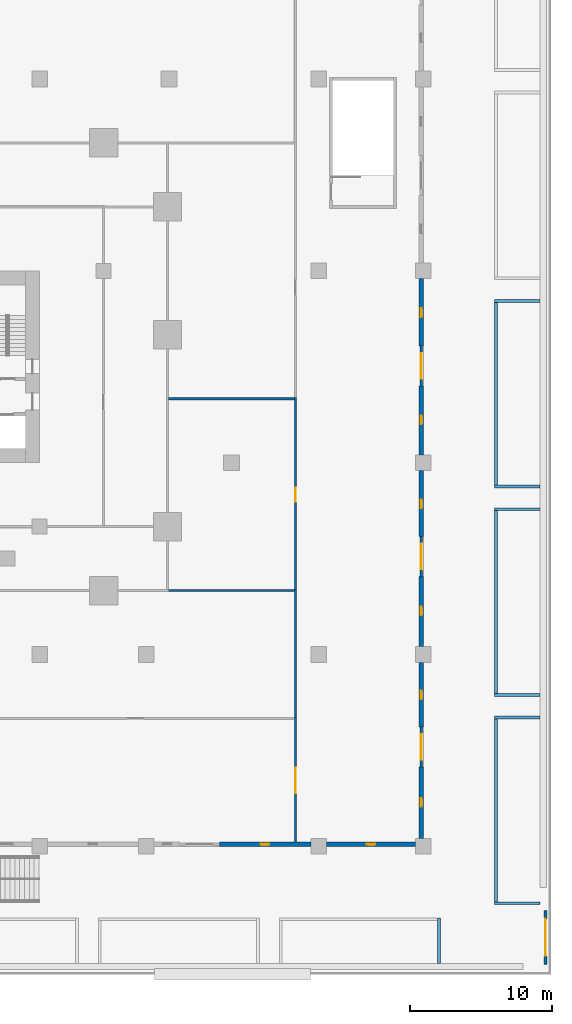
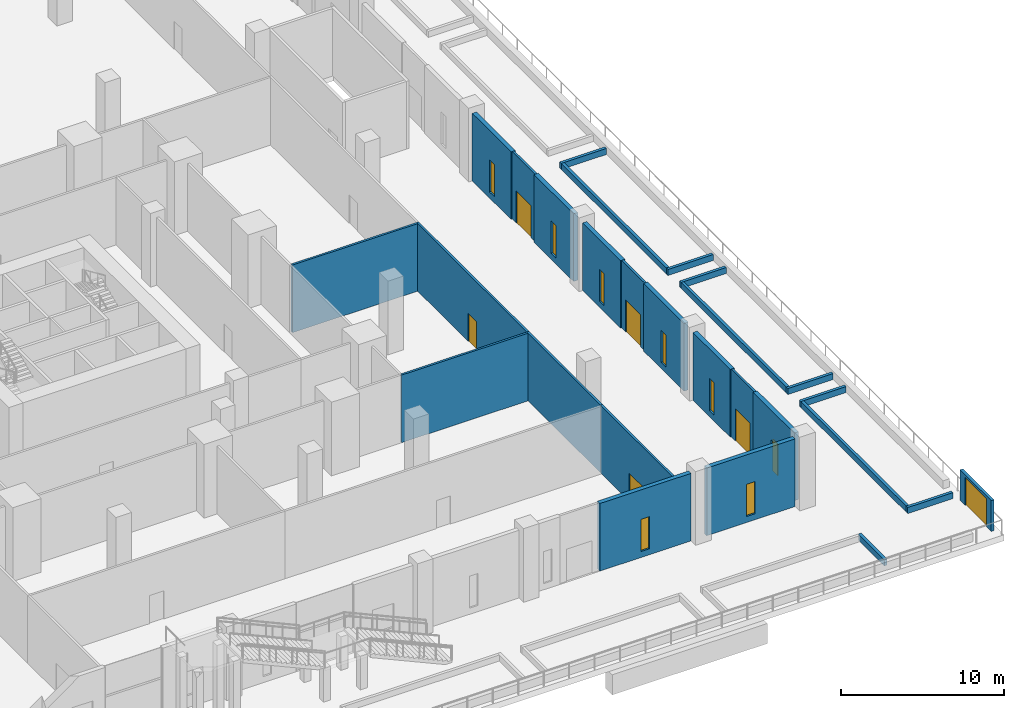
# One storey, part 37 of 47: 27 walls, 8 windows, 6 doors, 14 openings.
"""IFC4 building model written with IfcOpenShell, lengths in metres."""

from ifc_helpers import new_model, si_unit, direction, frame, frame_2d, origin, place, context, subcontext, project, spatial, rectangle, extrude, material, layer, layer_set, type_object, element, fill, save


model = new_model("IFC4")

# Units and contexts
model_context = context("Model", 3, precision=1e-05, world=origin(), true_north=direction((0.0, 1.0)))
body_context = subcontext(model_context, "Body", "Model", "MODEL_VIEW")
ifc_project = project(units=[si_unit("LENGTHUNIT", "METRE"), si_unit("AREAUNIT", "SQUARE_METRE"), si_unit("VOLUMEUNIT", "CUBIC_METRE"), si_unit("PLANEANGLEUNIT", "RADIAN"), si_unit("MASSUNIT", "GRAM", prefix="KILO")], contexts=[model_context])

# Site, building, storey
site_placement = place(None, origin())
site = spatial("IfcSite", under=ifc_project, at=site_placement, CompositionType="ELEMENT")
building_placement = place(site_placement, origin())
building = spatial("IfcBuilding", under=site, at=building_placement, Name="Altepetl Exchange Towers", CompositionType="ELEMENT")
storey_placement = place(building_placement, frame((0.0, 0.0, 6.0)))
storey = spatial("IfcBuildingStorey", under=building, at=storey_placement, Name="L01 Retail podium", CompositionType="ELEMENT", Elevation=6.0)

# Wall, opening, door
ifc_material_1 = material(Name="Reinforced concrete C35/45", Category="concrete")
ifc_layer_1 = layer(ifc_material_1, 0.199951171875)
ifc_layer_set_1 = layer_set([ifc_layer_1], Name="Reinforced concrete C35/45")
wall_type_1 = type_object("IfcWallType", Name="Garden gate screen wall 200", PredefinedType="SOLIDWALL", material=ifc_layer_set_1)
wall_1_placement = place(storey_placement, frame((152.60009765625, 0.699951171875, 0.0), z_axis=(0.0, 0.0, 1.0), x_axis=(0.0, 1.0, 0.0)))
wall_1 = element("IfcWall", 1, at=wall_1_placement, inside=storey, type_object=wall_type_1, Name="wall:P:L01:gateG10", PredefinedType="SOLIDWALL", context=body_context, shape_type="SweptSolid", body=[
    extrude(rectangle(XDim=3.800048828125, YDim=0.199951171875, at=frame_2d((1.89990234375, 0.0))), origin(), (0.0, 0.0, 1.0), 2.300048828125),
])
opening_1_placement = place(wall_1_placement, frame((0.60009765625, 0.0, 0.0)))
opening_1 = element("IfcOpeningElement", 2, at=opening_1_placement, cuts=wall_1, Name="Opening L01.P065", PredefinedType="OPENING", context=body_context, shape_type="SweptSolid", body=[
    extrude(rectangle(XDim=2.60009765625, YDim=2.10009765625, at=frame_2d((1.300048828125, 1.050048828125))), frame((0.0, 0.10986328125, 0.0), z_axis=(0.0, -1.0, 0.0), x_axis=(1.0, 0.0, 0.0)), (0.0, 0.0, 1.0), 0.219970703125),
])
ifc_material_2 = material(Name="Painted steel bars and timber", Category="steel")
door_type_1 = type_object("IfcDoorType", Name="Garden gate 2600 x 2100 double leaf", OperationType="DOUBLE_DOOR_SINGLE_SWING", PredefinedType="GATE", material=ifc_material_2)
door_1_placement = place(opening_1_placement, frame((2.60009765625, 0.0, 0.0), x_axis=(-1.0, 0.0, 0.0)))
door_1 = element("IfcDoor", 3, at=door_1_placement, inside=storey, type_object=door_type_1, Name="door:P:L01:065", OperationType="DOUBLE_DOOR_SINGLE_SWING", OverallHeight=2.10009765625, OverallWidth=2.60009765625, PredefinedType="GATE", context=body_context, shape_type="SweptSolid", body=[
    extrude(rectangle(XDim=2.60009765625, YDim=2.10009765625, at=frame_2d((1.300048828125, 1.050048828125))), frame((0.0, 0.02490234375, 0.0), z_axis=(0.0, -1.0, 0.0), x_axis=(1.0, 0.0, 0.0)), (0.0, 0.0, 1.0), 0.050048828125),
])
fill(opening_1, door_1)

ifc_material_3 = material(Name="Aluminium composite cladding", Category="aluminium")
ifc_layer_2 = layer(ifc_material_3, 0.14990234375)
ifc_layer_set_2 = layer_set([ifc_layer_2], Name="Aluminium composite cladding")
wall_type_2 = type_object("IfcWallType", Name="Infill wall 150 aluminium panel", PredefinedType="SOLIDWALL", material=ifc_layer_set_2)
wall_2_placement = place(storey_placement, frame((143.85009765625, 14.60009765625, 0.0), z_axis=(0.0, 0.0, 1.0), x_axis=(0.0, 1.0, 0.0)))
wall_2 = element("IfcWall", 4, at=wall_2_placement, inside=storey, type_object=wall_type_2, Name="Door bay wall", PredefinedType="SOLIDWALL", context=body_context, shape_type="SweptSolid", body=[
    extrude(rectangle(XDim=2.7998046875, YDim=0.14990234375, at=frame_2d((1.39990234375, 0.0))), origin(), (0.0, 0.0, 1.0), 5.050048828125),
])
opening_2_placement = place(wall_2_placement, frame((0.5, 0.0, 0.0)))
opening_2 = element("IfcOpeningElement", 5, at=opening_2_placement, cuts=wall_2, Name="Opening L01.E22", PredefinedType="OPENING", context=body_context, shape_type="SweptSolid", body=[
    extrude(rectangle(XDim=1.800048828125, YDim=2.39990234375, at=frame_2d((0.89990234375, 1.199951171875))), frame((0.0, 0.0849609375, 0.0), z_axis=(0.0, -1.0, 0.0), x_axis=(1.0, 0.0, 0.0)), (0.0, 0.0, 1.0), 0.169921875),
])
ifc_material_4 = material(Name="Aluminium 6063-T6 and glass", Category="aluminium")
door_type_2 = type_object("IfcDoorType", Name="Glazed door pair 1800x2400", OperationType="DOUBLE_DOOR_DOUBLE_SWING", PredefinedType="NOTDEFINED", material=ifc_material_4)
door_2_placement = place(opening_2_placement, frame((1.800048828125, 0.0, 0.0), x_axis=(-1.0, 0.0, 0.0)))
door_2 = element("IfcDoor", 6, at=door_2_placement, inside=storey, type_object=door_type_2, Name="Terrace door", OperationType="DOUBLE_DOOR_DOUBLE_SWING", OverallHeight=2.39990234375, OverallWidth=1.800048828125, PredefinedType="NOTDEFINED", context=body_context, shape_type="SweptSolid", body=[
    extrude(rectangle(XDim=1.800048828125, YDim=2.39990234375, at=frame_2d((0.89990234375, 1.199951171875))), frame((0.0, 0.02490234375, 0.0), z_axis=(0.0, -1.0, 0.0), x_axis=(1.0, 0.0, 0.0)), (0.0, 0.0, 1.0), 0.050048828125),
])
fill(opening_2, door_2)

wall_3_placement = place(storey_placement, frame((143.85009765625, 28.0, 0.0), z_axis=(0.0, 0.0, 1.0), x_axis=(0.0, 1.0, 0.0)))
wall_3 = element("IfcWall", 7, at=wall_3_placement, inside=storey, type_object=wall_type_2, Name="Door bay wall", PredefinedType="SOLIDWALL", context=body_context, shape_type="SweptSolid", body=[
    extrude(rectangle(XDim=2.800048828125, YDim=0.14990234375, at=frame_2d((1.39990234375, 0.0))), origin(), (0.0, 0.0, 1.0), 5.050048828125),
])
opening_3_placement = place(wall_3_placement, frame((0.5, 0.0, 0.0)))
opening_3 = element("IfcOpeningElement", 8, at=opening_3_placement, cuts=wall_3, Name="Opening L01.E23", PredefinedType="OPENING", context=body_context, shape_type="SweptSolid", body=[
    extrude(rectangle(XDim=1.800048828125, YDim=2.39990234375, at=frame_2d((0.89990234375, 1.199951171875))), frame((0.0, 0.0849609375, 0.0), z_axis=(0.0, -1.0, 0.0), x_axis=(1.0, 0.0, 0.0)), (0.0, 0.0, 1.0), 0.169921875),
])
door_3_placement = place(opening_3_placement, frame((1.800048828125, 0.0, 0.0), x_axis=(-1.0, 0.0, 0.0)))
door_3 = element("IfcDoor", 9, at=door_3_placement, inside=storey, type_object=door_type_2, Name="Terrace door", OperationType="DOUBLE_DOOR_DOUBLE_SWING", OverallHeight=2.39990234375, OverallWidth=1.800048828125, PredefinedType="NOTDEFINED", context=body_context, shape_type="SweptSolid", body=[
    extrude(rectangle(XDim=1.800048828125, YDim=2.39990234375, at=frame_2d((0.89990234375, 1.199951171875))), frame((0.0, 0.02490234375, 0.0), z_axis=(0.0, -1.0, 0.0), x_axis=(1.0, 0.0, 0.0)), (0.0, 0.0, 1.0), 0.050048828125),
])
fill(opening_3, door_3)

wall_4_placement = place(storey_placement, frame((143.85009765625, 41.39990234375, 0.0), z_axis=(0.0, 0.0, 1.0), x_axis=(0.0, 1.0, 0.0)))
wall_4 = element("IfcWall", 10, at=wall_4_placement, inside=storey, type_object=wall_type_2, Name="Door bay wall", PredefinedType="SOLIDWALL", context=body_context, shape_type="SweptSolid", body=[
    extrude(rectangle(XDim=2.800048828125, YDim=0.14990234375, at=frame_2d((1.39990234375, 0.0))), origin(), (0.0, 0.0, 1.0), 5.050048828125),
])
opening_4_placement = place(wall_4_placement, frame((0.5, 0.0, 0.0)))
opening_4 = element("IfcOpeningElement", 11, at=opening_4_placement, cuts=wall_4, Name="Opening L01.E24", PredefinedType="OPENING", context=body_context, shape_type="SweptSolid", body=[
    extrude(rectangle(XDim=1.800048828125, YDim=2.39990234375, at=frame_2d((0.89990234375, 1.199951171875))), frame((0.0, 0.0849609375, 0.0), z_axis=(0.0, -1.0, 0.0), x_axis=(1.0, 0.0, 0.0)), (0.0, 0.0, 1.0), 0.169921875),
])
door_4_placement = place(opening_4_placement, frame((1.800048828125, 0.0, 0.0), x_axis=(-1.0, 0.0, 0.0)))
door_4 = element("IfcDoor", 12, at=door_4_placement, inside=storey, type_object=door_type_2, Name="Terrace door", OperationType="DOUBLE_DOOR_DOUBLE_SWING", OverallHeight=2.39990234375, OverallWidth=1.800048828125, PredefinedType="NOTDEFINED", context=body_context, shape_type="SweptSolid", body=[
    extrude(rectangle(XDim=1.800048828125, YDim=2.39990234375, at=frame_2d((0.89990234375, 1.199951171875))), frame((0.0, 0.02490234375, 0.0), z_axis=(0.0, -1.0, 0.0), x_axis=(1.0, 0.0, 0.0)), (0.0, 0.0, 1.0), 0.050048828125),
])
fill(opening_4, door_4)

# Walls
ifc_layer_3 = layer(ifc_material_1, 0.199951171875)
ifc_layer_set_3 = layer_set([ifc_layer_3], Name="Reinforced concrete C35/45")
wall_type_3 = type_object("IfcWallType", Name="Planting bed curb 200", PredefinedType="SOLIDWALL", material=ifc_layer_set_3)
wall_5_placement = place(storey_placement, frame((145.10009765625, 0.77490234375, 0.0), z_axis=(0.0, 0.0, 1.0), x_axis=(0.0, 1.0, 0.0)))
element("IfcWall", 13, at=wall_5_placement, inside=storey, type_object=wall_type_3, Name="wall:P:L01:CB03e", PredefinedType="SOLIDWALL", context=body_context, shape_type="SweptSolid", body=[
    extrude(rectangle(XDim=3.2001953125, YDim=0.199951171875, at=frame_2d((1.60009765625, 0.0))), origin(), (0.0, 0.0, 1.0), 0.449951171875),
])
for number, where, name in (
    (14, (149.02490234375, 18.06005859375, 0.0), "wall:P:L01:CB28n"),
    (15, (149.02490234375, 5.0, 0.0), "wall:P:L01:CB28s"),
):
    element("IfcWall", number, at=place(storey_placement, frame(where)), inside=storey, type_object=wall_type_3, Name=name, PredefinedType="SOLIDWALL", context=body_context, shape_type="SweptSolid", body=[
        extrude(rectangle(XDim=3.2001953125, YDim=0.199951171875, at=frame_2d((1.60009765625, 0.0))), origin(), (0.0, 0.0, 1.0), 0.449951171875),
    ])
wall_6_placement = place(storey_placement, frame((149.125, 5.10009765625, 0.0), z_axis=(0.0, 0.0, 1.0), x_axis=(0.0, 1.0, 0.0)))
element("IfcWall", 16, at=wall_6_placement, inside=storey, type_object=wall_type_3, Name="wall:P:L01:CB28w", PredefinedType="SOLIDWALL", context=body_context, shape_type="SweptSolid", body=[
    extrude(rectangle(XDim=12.85986328125, YDim=0.199951171875, at=frame_2d((6.429931640625, 0.0))), origin(), (0.0, 0.0, 1.0), 0.449951171875),
])
for number, where, name in (
    (17, (149.02490234375, 32.719970703125, 0.0), "wall:P:L01:CB29n"),
    (18, (149.02490234375, 19.659912109375, 0.0), "wall:P:L01:CB29s"),
):
    element("IfcWall", number, at=place(storey_placement, frame(where)), inside=storey, type_object=wall_type_3, Name=name, PredefinedType="SOLIDWALL", context=body_context, shape_type="SweptSolid", body=[
        extrude(rectangle(XDim=3.2001953125, YDim=0.199951171875, at=frame_2d((1.60009765625, 0.0))), origin(), (0.0, 0.0, 1.0), 0.449951171875),
    ])
wall_7_placement = place(storey_placement, frame((149.125, 19.760009765625, 0.0), z_axis=(0.0, 0.0, 1.0), x_axis=(0.0, 1.0, 0.0)))
element("IfcWall", 19, at=wall_7_placement, inside=storey, type_object=wall_type_3, Name="wall:P:L01:CB29w", PredefinedType="SOLIDWALL", context=body_context, shape_type="SweptSolid", body=[
    extrude(rectangle(XDim=12.860107421875, YDim=0.199951171875, at=frame_2d((6.43017578125, 0.0))), origin(), (0.0, 0.0, 1.0), 0.449951171875),
])
for number, where, name in (
    (20, (149.02490234375, 47.3798828125, 0.0), "wall:P:L01:CB30n"),
    (21, (149.02490234375, 34.320068359375, 0.0), "wall:P:L01:CB30s"),
):
    element("IfcWall", number, at=place(storey_placement, frame(where)), inside=storey, type_object=wall_type_3, Name=name, PredefinedType="SOLIDWALL", context=body_context, shape_type="SweptSolid", body=[
        extrude(rectangle(XDim=3.2001953125, YDim=0.199951171875, at=frame_2d((1.60009765625, 0.0))), origin(), (0.0, 0.0, 1.0), 0.449951171875),
    ])
wall_8_placement = place(storey_placement, frame((149.125, 34.419921875, 0.0), z_axis=(0.0, 0.0, 1.0), x_axis=(0.0, 1.0, 0.0)))
element("IfcWall", 22, at=wall_8_placement, inside=storey, type_object=wall_type_3, Name="wall:P:L01:CB30w", PredefinedType="SOLIDWALL", context=body_context, shape_type="SweptSolid", body=[
    extrude(rectangle(XDim=12.860107421875, YDim=0.199951171875, at=frame_2d((6.43017578125, 0.0))), origin(), (0.0, 0.0, 1.0), 0.449951171875),
])

# Wall, opening, door
ifc_material_5 = material(Name="Gypsum board on steel studs", Category="steel")
ifc_layer_4 = layer(ifc_material_5, 0.14990234375)
ifc_layer_set_4 = layer_set([ifc_layer_4], Name="Gypsum board on steel studs")
wall_type_4 = type_object("IfcWallType", Name="Podium partition 150", PredefinedType="PARTITIONING", material=ifc_layer_set_4)
wall_9_placement = place(storey_placement, frame((135.0, 9.300048828125, 0.0), z_axis=(0.0, 0.0, 1.0), x_axis=(0.0, 1.0, 0.0)))
wall_9 = element("IfcWall", 23, at=wall_9_placement, inside=storey, type_object=wall_type_4, Name="wall:P:L01:P053", PredefinedType="PARTITIONING", context=body_context, shape_type="SweptSolid", body=[
    extrude(rectangle(XDim=8.77490234375, YDim=0.14990234375, at=frame_2d((4.387451171875, 0.0))), origin(), (0.0, 0.0, 1.0), 5.050048828125),
])
opening_5_placement = place(wall_9_placement, frame((3.449951171875, 0.0, 0.0)))
opening_5 = element("IfcOpeningElement", 24, at=opening_5_placement, cuts=wall_9, Name="Opening L01.P048", PredefinedType="OPENING", context=body_context, shape_type="SweptSolid", body=[
    extrude(rectangle(XDim=1.800048828125, YDim=2.10009765625, at=frame_2d((0.89990234375, 1.050048828125))), frame((0.0, 0.0849609375, 0.0), z_axis=(0.0, -1.0, 0.0), x_axis=(1.0, 0.0, 0.0)), (0.0, 0.0, 1.0), 0.169921875),
])
ifc_material_6 = material(Name="Glazed aluminium and steel", Category="steel")
door_type_3 = type_object("IfcDoorType", Name="Podium fire door 1800 x 2100 double leaf", OperationType="DOUBLE_DOOR_SINGLE_SWING", PredefinedType="DOOR", material=ifc_material_6)
door_5_placement = place(opening_5_placement, origin())
door_5 = element("IfcDoor", 25, at=door_5_placement, inside=storey, type_object=door_type_3, Name="door:P:L01:048", OperationType="DOUBLE_DOOR_SINGLE_SWING", OverallHeight=2.10009765625, OverallWidth=1.800048828125, PredefinedType="DOOR", context=body_context, shape_type="SweptSolid", body=[
    extrude(rectangle(XDim=1.800048828125, YDim=2.10009765625, at=frame_2d((0.89990234375, 1.050048828125))), frame((0.0, 0.02490234375, 0.0), z_axis=(0.0, -1.0, 0.0), x_axis=(1.0, 0.0, 0.0)), (0.0, 0.0, 1.0), 0.050048828125),
])
fill(opening_5, door_5)

# Wall
wall_10_placement = place(storey_placement, frame((135.0, 18.0, 0.0), z_axis=(0.0, 0.0, 1.0), x_axis=(0.0, 1.0, 0.0)))
element("IfcWall", 26, at=wall_10_placement, inside=storey, type_object=wall_type_4, Name="wall:P:L01:P057", PredefinedType="PARTITIONING", context=body_context, shape_type="SweptSolid", body=[
    extrude(rectangle(XDim=9.074951171875, YDim=0.14990234375, at=frame_2d((4.53759765625, 0.0))), origin(), (0.0, 0.0, 1.0), 5.050048828125),
])

# Wall, opening, door
wall_11_placement = place(storey_placement, frame((135.0, 27.0, 0.0), z_axis=(0.0, 0.0, 1.0), x_axis=(0.0, 1.0, 0.0)))
wall_11 = element("IfcWall", 27, at=wall_11_placement, inside=storey, type_object=wall_type_4, Name="wall:P:L01:P058", PredefinedType="PARTITIONING", context=body_context, shape_type="SweptSolid", body=[
    extrude(rectangle(XDim=13.574951171875, YDim=0.14990234375, at=frame_2d((6.78759765625, 0.0))), origin(), (0.0, 0.0, 1.0), 5.050048828125),
])
opening_6_placement = place(wall_11_placement, frame((6.25, 0.0, 0.0)))
opening_6 = element("IfcOpeningElement", 28, at=opening_6_placement, cuts=wall_11, Name="Opening L01.P019", PredefinedType="OPENING", context=body_context, shape_type="SweptSolid", body=[
    extrude(rectangle(XDim=1.0, YDim=2.10009765625, at=frame_2d((0.5, 1.050048828125))), frame((0.0, 0.0849609375, 0.0), z_axis=(0.0, -1.0, 0.0), x_axis=(1.0, 0.0, 0.0)), (0.0, 0.0, 1.0), 0.169921875),
])
ifc_material_7 = material(Name="Steel and timber fire door", Category="steel")
door_type_4 = type_object("IfcDoorType", Name="Podium fire door 1000 x 2100 single leaf", OperationType="SINGLE_SWING_LEFT", PredefinedType="DOOR", material=ifc_material_7)
door_6_placement = place(opening_6_placement, origin())
door_6 = element("IfcDoor", 29, at=door_6_placement, inside=storey, type_object=door_type_4, Name="door:P:L01:019", OperationType="SINGLE_SWING_RIGHT", OverallHeight=2.10009765625, OverallWidth=1.0, PredefinedType="DOOR", context=body_context, shape_type="SweptSolid", body=[
    extrude(rectangle(XDim=1.0, YDim=2.10009765625, at=frame_2d((0.5, 1.050048828125))), frame((0.0, 0.02490234375, 0.0), z_axis=(0.0, -1.0, 0.0), x_axis=(1.0, 0.0, 0.0)), (0.0, 0.0, 1.0), 0.050048828125),
])
fill(opening_6, door_6)

# Walls
wall_12_placement = place(storey_placement, frame((126.0, 27.0, 0.0)))
element("IfcWall", 30, at=wall_12_placement, inside=storey, type_object=wall_type_4, Name="wall:P:L01:P149", PredefinedType="PARTITIONING", context=body_context, shape_type="SweptSolid", body=[
    extrude(rectangle(XDim=8.925048828125, YDim=0.14990234375, at=frame_2d((4.46240234375, 0.0))), origin(), (0.0, 0.0, 1.0), 5.050048828125),
])
wall_13_placement = place(storey_placement, frame((126.074951171875, 40.5, 0.0)))
element("IfcWall", 31, at=wall_13_placement, inside=storey, type_object=wall_type_4, Name="wall:P:L01:P150", PredefinedType="PARTITIONING", context=body_context, shape_type="SweptSolid", body=[
    extrude(rectangle(XDim=8.85009765625, YDim=0.14990234375, at=frame_2d((4.425048828125, 0.0))), origin(), (0.0, 0.0, 1.0), 5.050048828125),
])

# Wall, opening, window
ifc_material_8 = material(Name="Cantera limestone cladding", Category="masonry")
ifc_layer_5 = layer(ifc_material_8, 0.300048828125)
ifc_layer_set_5 = layer_set([ifc_layer_5], Name="Cantera limestone cladding")
wall_type_5 = type_object("IfcWallType", Name="Stone wall panel 300", PredefinedType="ELEMENTEDWALL", material=ifc_layer_set_5)
wall_14_placement = place(storey_placement, frame((129.64990234375, 9.14990234375, 0.0)))
wall_14 = element("IfcWall", 32, at=wall_14_placement, inside=storey, type_object=wall_type_5, Name="Stone wall panel", PredefinedType="ELEMENTEDWALL", context=body_context, shape_type="SweptSolid", body=[
    extrude(rectangle(XDim=6.4501953125, YDim=0.300048828125, at=frame_2d((3.22509765625, 0.0))), origin(), (0.0, 0.0, 1.0), 5.050048828125),
])
opening_7_placement = place(wall_14_placement, frame((2.89990234375, 0.0, 0.449951171875)))
opening_7 = element("IfcOpeningElement", 33, at=opening_7_placement, cuts=wall_14, Name="Opening W3", PredefinedType="OPENING", context=body_context, shape_type="SweptSolid", body=[
    extrude(rectangle(XDim=0.60009765625, YDim=2.39990234375, at=frame_2d((0.300048828125, 1.199951171875))), frame((0.0, 0.16015625, 0.0), z_axis=(0.0, -1.0, 0.0), x_axis=(1.0, 0.0, 0.0)), (0.0, 0.0, 1.0), 0.320068359375),
])
window_type = type_object("IfcWindowType", Name="Tall slot window 600x2400", PartitioningType="SINGLE_PANEL", PredefinedType="WINDOW", material=ifc_material_4)
window_1_placement = place(opening_7_placement, origin())
window_1 = element("IfcWindow", 34, at=window_1_placement, inside=storey, type_object=window_type, Name="Window", OverallHeight=2.39990234375, OverallWidth=0.60009765625, PartitioningType="SINGLE_PANEL", PredefinedType="WINDOW", context=body_context, shape_type="SweptSolid", body=[
    extrude(rectangle(XDim=0.60009765625, YDim=2.39990234375, at=frame_2d((0.300048828125, 1.199951171875))), frame((0.0, 0.030029296875, 0.0), z_axis=(0.0, -1.0, 0.0), x_axis=(1.0, 0.0, 0.0)), (0.0, 0.0, 1.0), 0.06005859375),
])
fill(opening_7, window_1)

wall_15_placement = place(storey_placement, frame((137.199951171875, 9.14990234375, 0.0)))
wall_15 = element("IfcWall", 35, at=wall_15_placement, inside=storey, type_object=wall_type_5, Name="Stone wall panel", PredefinedType="ELEMENTEDWALL", context=body_context, shape_type="SweptSolid", body=[
    extrude(rectangle(XDim=6.25, YDim=0.300048828125, at=frame_2d((3.125, 0.0))), origin(), (0.0, 0.0, 1.0), 5.050048828125),
])
opening_8_placement = place(wall_15_placement, frame((2.824951171875, 0.0, 0.449951171875)))
opening_8 = element("IfcOpeningElement", 36, at=opening_8_placement, cuts=wall_15, Name="Opening W3", PredefinedType="OPENING", context=body_context, shape_type="SweptSolid", body=[
    extrude(rectangle(XDim=0.60009765625, YDim=2.39990234375, at=frame_2d((0.300048828125, 1.199951171875))), frame((0.0, 0.16015625, 0.0), z_axis=(0.0, -1.0, 0.0), x_axis=(1.0, 0.0, 0.0)), (0.0, 0.0, 1.0), 0.320068359375),
])
window_2_placement = place(opening_8_placement, origin())
window_2 = element("IfcWindow", 37, at=window_2_placement, inside=storey, type_object=window_type, Name="Window", OverallHeight=2.39990234375, OverallWidth=0.60009765625, PartitioningType="SINGLE_PANEL", PredefinedType="WINDOW", context=body_context, shape_type="SweptSolid", body=[
    extrude(rectangle(XDim=0.60009765625, YDim=2.39990234375, at=frame_2d((0.300048828125, 1.199951171875))), frame((0.0, 0.030029296875, 0.0), z_axis=(0.0, -1.0, 0.0), x_axis=(1.0, 0.0, 0.0)), (0.0, 0.0, 1.0), 0.06005859375),
])
fill(opening_8, window_2)

wall_16_placement = place(storey_placement, frame((143.85009765625, 9.550048828125, 0.0), z_axis=(0.0, 0.0, 1.0), x_axis=(0.0, 1.0, 0.0)))
wall_16 = element("IfcWall", 38, at=wall_16_placement, inside=storey, type_object=wall_type_5, Name="Stone wall panel", PredefinedType="ELEMENTEDWALL", context=body_context, shape_type="SweptSolid", body=[
    extrude(rectangle(XDim=5.050048828125, YDim=0.300048828125, at=frame_2d((2.52490234375, 0.0))), origin(), (0.0, 0.0, 1.0), 5.050048828125),
])
opening_9_placement = place(wall_16_placement, frame((2.25, 0.0, 0.449951171875)))
opening_9 = element("IfcOpeningElement", 39, at=opening_9_placement, cuts=wall_16, Name="Opening W3", PredefinedType="OPENING", context=body_context, shape_type="SweptSolid", body=[
    extrude(rectangle(XDim=0.60009765625, YDim=2.39990234375, at=frame_2d((0.300048828125, 1.199951171875))), frame((0.0, 0.16015625, 0.0), z_axis=(0.0, -1.0, 0.0), x_axis=(1.0, 0.0, 0.0)), (0.0, 0.0, 1.0), 0.320068359375),
])
window_3_placement = place(opening_9_placement, origin())
window_3 = element("IfcWindow", 40, at=window_3_placement, inside=storey, type_object=window_type, Name="Window", OverallHeight=2.39990234375, OverallWidth=0.60009765625, PartitioningType="SINGLE_PANEL", PredefinedType="WINDOW", context=body_context, shape_type="SweptSolid", body=[
    extrude(rectangle(XDim=0.60009765625, YDim=2.39990234375, at=frame_2d((0.300048828125, 1.199951171875))), frame((0.0, 0.030029296875, 0.0), z_axis=(0.0, -1.0, 0.0), x_axis=(1.0, 0.0, 0.0)), (0.0, 0.0, 1.0), 0.06005859375),
])
fill(opening_9, window_3)

wall_17_placement = place(storey_placement, frame((143.85009765625, 17.39990234375, 0.0), z_axis=(0.0, 0.0, 1.0), x_axis=(0.0, 1.0, 0.0)))
wall_17 = element("IfcWall", 41, at=wall_17_placement, inside=storey, type_object=wall_type_5, Name="Stone wall panel", PredefinedType="ELEMENTEDWALL", context=body_context, shape_type="SweptSolid", body=[
    extrude(rectangle(XDim=4.550048828125, YDim=0.300048828125, at=frame_2d((2.27490234375, 0.0))), origin(), (0.0, 0.0, 1.0), 5.050048828125),
])
opening_10_placement = place(wall_17_placement, frame((1.949951171875, 0.0, 0.449951171875)))
opening_10 = element("IfcOpeningElement", 42, at=opening_10_placement, cuts=wall_17, Name="Opening W3", PredefinedType="OPENING", context=body_context, shape_type="SweptSolid", body=[
    extrude(rectangle(XDim=0.60009765625, YDim=2.39990234375, at=frame_2d((0.300048828125, 1.199951171875))), frame((0.0, 0.16015625, 0.0), z_axis=(0.0, -1.0, 0.0), x_axis=(1.0, 0.0, 0.0)), (0.0, 0.0, 1.0), 0.320068359375),
])
window_4_placement = place(opening_10_placement, origin())
window_4 = element("IfcWindow", 43, at=window_4_placement, inside=storey, type_object=window_type, Name="Window", OverallHeight=2.39990234375, OverallWidth=0.60009765625, PartitioningType="SINGLE_PANEL", PredefinedType="WINDOW", context=body_context, shape_type="SweptSolid", body=[
    extrude(rectangle(XDim=0.60009765625, YDim=2.39990234375, at=frame_2d((0.300048828125, 1.199951171875))), frame((0.0, 0.030029296875, 0.0), z_axis=(0.0, -1.0, 0.0), x_axis=(1.0, 0.0, 0.0)), (0.0, 0.0, 1.0), 0.06005859375),
])
fill(opening_10, window_4)

wall_18_placement = place(storey_placement, frame((143.85009765625, 23.050048828125, 0.0), z_axis=(0.0, 0.0, 1.0), x_axis=(0.0, 1.0, 0.0)))
wall_18 = element("IfcWall", 44, at=wall_18_placement, inside=storey, type_object=wall_type_5, Name="Stone wall panel", PredefinedType="ELEMENTEDWALL", context=body_context, shape_type="SweptSolid", body=[
    extrude(rectangle(XDim=4.949951171875, YDim=0.300048828125, at=frame_2d((2.47509765625, 0.0))), origin(), (0.0, 0.0, 1.0), 5.050048828125),
])
opening_11_placement = place(wall_18_placement, frame((2.199951171875, 0.0, 0.449951171875)))
opening_11 = element("IfcOpeningElement", 45, at=opening_11_placement, cuts=wall_18, Name="Opening W3", PredefinedType="OPENING", context=body_context, shape_type="SweptSolid", body=[
    extrude(rectangle(XDim=0.60009765625, YDim=2.39990234375, at=frame_2d((0.300048828125, 1.199951171875))), frame((0.0, 0.16015625, 0.0), z_axis=(0.0, -1.0, 0.0), x_axis=(1.0, 0.0, 0.0)), (0.0, 0.0, 1.0), 0.320068359375),
])
window_5_placement = place(opening_11_placement, origin())
window_5 = element("IfcWindow", 46, at=window_5_placement, inside=storey, type_object=window_type, Name="Window", OverallHeight=2.39990234375, OverallWidth=0.60009765625, PartitioningType="SINGLE_PANEL", PredefinedType="WINDOW", context=body_context, shape_type="SweptSolid", body=[
    extrude(rectangle(XDim=0.60009765625, YDim=2.39990234375, at=frame_2d((0.300048828125, 1.199951171875))), frame((0.0, 0.030029296875, 0.0), z_axis=(0.0, -1.0, 0.0), x_axis=(1.0, 0.0, 0.0)), (0.0, 0.0, 1.0), 0.06005859375),
])
fill(opening_11, window_5)

wall_19_placement = place(storey_placement, frame((143.85009765625, 30.800048828125, 0.0), z_axis=(0.0, 0.0, 1.0), x_axis=(0.0, 1.0, 0.0)))
wall_19 = element("IfcWall", 47, at=wall_19_placement, inside=storey, type_object=wall_type_5, Name="Stone wall panel", PredefinedType="ELEMENTEDWALL", context=body_context, shape_type="SweptSolid", body=[
    extrude(rectangle(XDim=4.64990234375, YDim=0.300048828125, at=frame_2d((2.324951171875, 0.0))), origin(), (0.0, 0.0, 1.0), 5.050048828125),
])
opening_12_placement = place(wall_19_placement, frame((2.0, 0.0, 0.449951171875)))
opening_12 = element("IfcOpeningElement", 48, at=opening_12_placement, cuts=wall_19, Name="Opening W3", PredefinedType="OPENING", context=body_context, shape_type="SweptSolid", body=[
    extrude(rectangle(XDim=0.60009765625, YDim=2.39990234375, at=frame_2d((0.300048828125, 1.199951171875))), frame((0.0, 0.16015625, 0.0), z_axis=(0.0, -1.0, 0.0), x_axis=(1.0, 0.0, 0.0)), (0.0, 0.0, 1.0), 0.320068359375),
])
window_6_placement = place(opening_12_placement, origin())
window_6 = element("IfcWindow", 49, at=window_6_placement, inside=storey, type_object=window_type, Name="Window", OverallHeight=2.39990234375, OverallWidth=0.60009765625, PartitioningType="SINGLE_PANEL", PredefinedType="WINDOW", context=body_context, shape_type="SweptSolid", body=[
    extrude(rectangle(XDim=0.60009765625, YDim=2.39990234375, at=frame_2d((0.300048828125, 1.199951171875))), frame((0.0, 0.030029296875, 0.0), z_axis=(0.0, -1.0, 0.0), x_axis=(1.0, 0.0, 0.0)), (0.0, 0.0, 1.0), 0.06005859375),
])
fill(opening_12, window_6)

wall_20_placement = place(storey_placement, frame((143.85009765625, 36.550048828125, 0.0), z_axis=(0.0, 0.0, 1.0), x_axis=(0.0, 1.0, 0.0)))
wall_20 = element("IfcWall", 50, at=wall_20_placement, inside=storey, type_object=wall_type_5, Name="Stone wall panel", PredefinedType="ELEMENTEDWALL", context=body_context, shape_type="SweptSolid", body=[
    extrude(rectangle(XDim=4.849853515625, YDim=0.300048828125, at=frame_2d((2.4248046875, 0.0))), origin(), (0.0, 0.0, 1.0), 5.050048828125),
])
opening_13_placement = place(wall_20_placement, frame((2.14990234375, 0.0, 0.449951171875)))
opening_13 = element("IfcOpeningElement", 51, at=opening_13_placement, cuts=wall_20, Name="Opening W3", PredefinedType="OPENING", context=body_context, shape_type="SweptSolid", body=[
    extrude(rectangle(XDim=0.60009765625, YDim=2.39990234375, at=frame_2d((0.300048828125, 1.199951171875))), frame((0.0, 0.16015625, 0.0), z_axis=(0.0, -1.0, 0.0), x_axis=(1.0, 0.0, 0.0)), (0.0, 0.0, 1.0), 0.320068359375),
])
window_7_placement = place(opening_13_placement, origin())
window_7 = element("IfcWindow", 52, at=window_7_placement, inside=storey, type_object=window_type, Name="Window", OverallHeight=2.39990234375, OverallWidth=0.60009765625, PartitioningType="SINGLE_PANEL", PredefinedType="WINDOW", context=body_context, shape_type="SweptSolid", body=[
    extrude(rectangle(XDim=0.60009765625, YDim=2.39990234375, at=frame_2d((0.300048828125, 1.199951171875))), frame((0.0, 0.030029296875, 0.0), z_axis=(0.0, -1.0, 0.0), x_axis=(1.0, 0.0, 0.0)), (0.0, 0.0, 1.0), 0.06005859375),
])
fill(opening_13, window_7)

wall_21_placement = place(storey_placement, frame((143.85009765625, 44.199951171875, 0.0), z_axis=(0.0, 0.0, 1.0), x_axis=(0.0, 1.0, 0.0)))
wall_21 = element("IfcWall", 53, at=wall_21_placement, inside=storey, type_object=wall_type_5, Name="Stone wall panel", PredefinedType="ELEMENTEDWALL", context=body_context, shape_type="SweptSolid", body=[
    extrude(rectangle(XDim=4.75, YDim=0.300048828125, at=frame_2d((2.375, 0.0))), origin(), (0.0, 0.0, 1.0), 5.050048828125),
])
opening_14_placement = place(wall_21_placement, frame((2.050048828125, 0.0, 0.449951171875)))
opening_14 = element("IfcOpeningElement", 54, at=opening_14_placement, cuts=wall_21, Name="Opening W3", PredefinedType="OPENING", context=body_context, shape_type="SweptSolid", body=[
    extrude(rectangle(XDim=0.60009765625, YDim=2.39990234375, at=frame_2d((0.300048828125, 1.199951171875))), frame((0.0, 0.16015625, 0.0), z_axis=(0.0, -1.0, 0.0), x_axis=(1.0, 0.0, 0.0)), (0.0, 0.0, 1.0), 0.320068359375),
])
window_8_placement = place(opening_14_placement, origin())
window_8 = element("IfcWindow", 55, at=window_8_placement, inside=storey, type_object=window_type, Name="Window", OverallHeight=2.39990234375, OverallWidth=0.60009765625, PartitioningType="SINGLE_PANEL", PredefinedType="WINDOW", context=body_context, shape_type="SweptSolid", body=[
    extrude(rectangle(XDim=0.60009765625, YDim=2.39990234375, at=frame_2d((0.300048828125, 1.199951171875))), frame((0.0, 0.030029296875, 0.0), z_axis=(0.0, -1.0, 0.0), x_axis=(1.0, 0.0, 0.0)), (0.0, 0.0, 1.0), 0.06005859375),
])
fill(opening_14, window_8)

save(model, "model.ifc")
